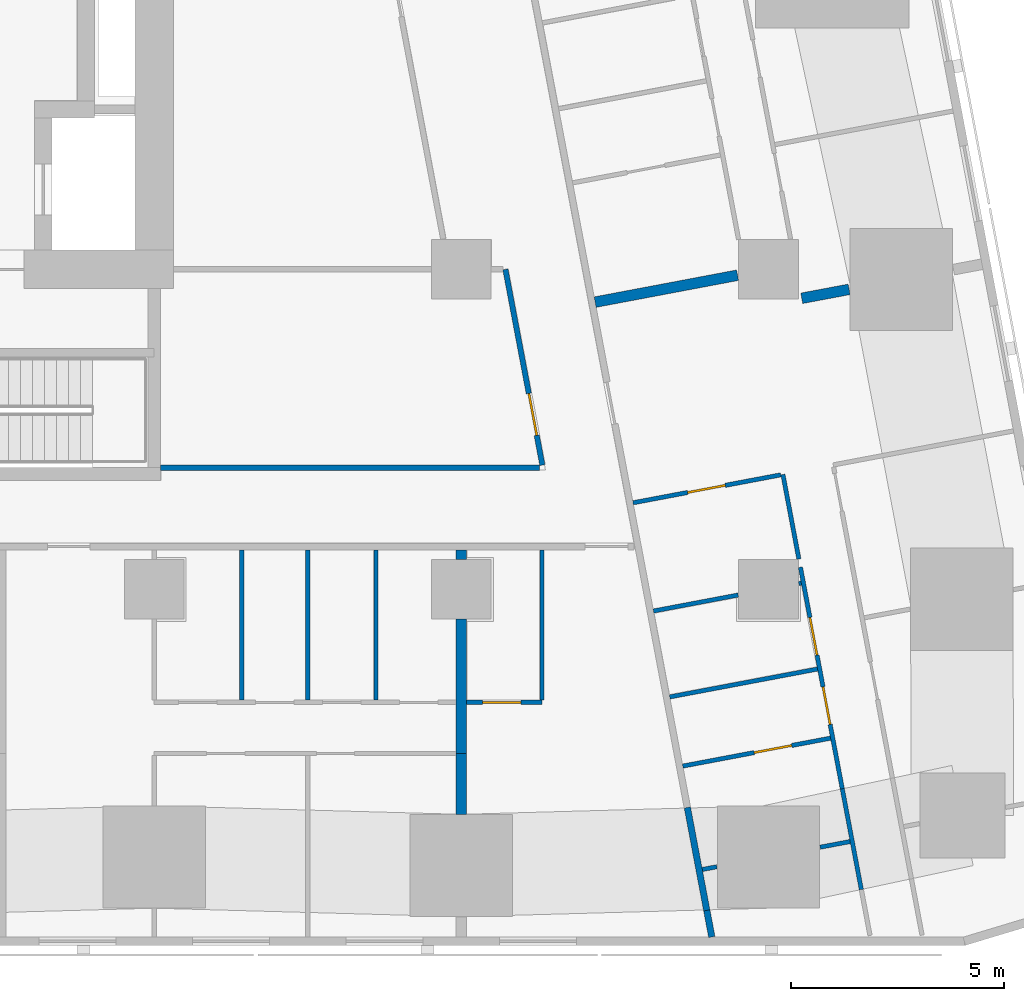
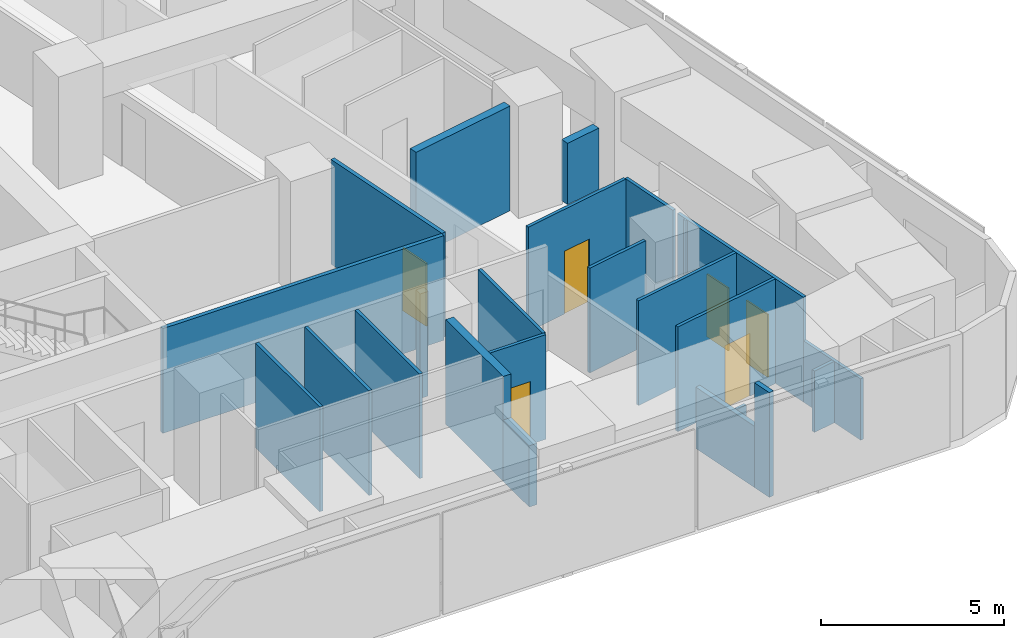
# One storey, part 3 of 10: 24 walls, 6 doors, 6 openings.
"""IFC4 building model written with IfcOpenShell, lengths in metres."""

from ifc_helpers import new_model, si_unit, direction, frame, frame_2d, origin, place, context, subcontext, project, spatial, rectangle, extrude, material, layer, layer_set, type_object, element, fill, save


model = new_model("IFC4")

# Units and contexts
model_context = context("Model", 3, precision=1e-05, world=origin(), true_north=direction((0.0, 1.0)))
body_context = subcontext(model_context, "Body", "Model", "MODEL_VIEW")
ifc_project = project(units=[si_unit("LENGTHUNIT", "METRE"), si_unit("AREAUNIT", "SQUARE_METRE"), si_unit("VOLUMEUNIT", "CUBIC_METRE"), si_unit("PLANEANGLEUNIT", "RADIAN"), si_unit("MASSUNIT", "GRAM", prefix="KILO")], contexts=[model_context])

# Site, building, storey
site_placement = place(None, origin())
site = spatial("IfcSite", under=ifc_project, at=site_placement, CompositionType="ELEMENT")
building_placement = place(site_placement, origin())
building = spatial("IfcBuilding", under=site, at=building_placement, Name="Sheger Commons Tower", CompositionType="ELEMENT")
storey_placement = place(building_placement, frame((0.0, 0.0, 227.449951171875)))
storey = spatial("IfcBuildingStorey", under=building, at=storey_placement, Name="L58", CompositionType="ELEMENT", Elevation=227.449951171875)

# Walls
ifc_material_1 = material(Name="Hollow concrete block masonry, skimmed both sides", Category="masonry")
ifc_layer_1 = layer(ifc_material_1, 0.14990234375)
ifc_layer_set_1 = layer_set([ifc_layer_1], Name="CORRIDOR WALL 150")
wall_type_1 = type_object("IfcWallType", Name="CORRIDOR WALL 150", PredefinedType="SOLIDWALL", material=ifc_layer_set_1)
wall_1_placement = place(storey_placement, frame((41.299072265625, 2.385009765625, 0.0), z_axis=(0.0, 0.0, 1.0), x_axis=(0.18529731833, -0.982682504077, 0.0)))
element("IfcWall", 1, at=wall_1_placement, inside=storey, type_object=wall_type_1, Name="Corridor wall L58", PredefinedType="SOLIDWALL", context=body_context, shape_type="SweptSolid", body=[
    extrude(rectangle(XDim=2.45458984375, YDim=0.14990234375, at=frame_2d((1.227294921875, 0.0))), origin(), (0.0, 0.0, 1.0), 2.050048828125),
])
wall_2_placement = place(storey_placement, frame((41.75390625, -0.027099609375, 0.0), z_axis=(0.0, 0.0, 1.0), x_axis=(0.186404157015, -0.982473149886, 0.0)))
element("IfcWall", 2, at=wall_2_placement, inside=storey, type_object=wall_type_1, Name="Corridor wall L58", PredefinedType="SOLIDWALL", context=body_context, shape_type="SweptSolid", body=[
    extrude(rectangle(XDim=0.634033203125, YDim=0.14990234375, at=frame_2d((0.31689453125, 0.0))), origin(), (0.0, 0.0, 1.0), 3.5),
])
ifc_material_2 = material(Name="Dense concrete block masonry, plastered both sides (separating wall between flats)", Category="masonry")
ifc_layer_2 = layer(ifc_material_2, 0.25)
ifc_layer_set_2 = layer_set([ifc_layer_2], Name="DEMISING WALL 250")
wall_type_2 = type_object("IfcWallType", Name="DEMISING WALL 250", PredefinedType="SOLIDWALL", material=ifc_layer_set_2)
wall_3_placement = place(storey_placement, frame((36.0, 2.22607421875, 0.0), z_axis=(0.0, 0.0, 1.0), x_axis=(0.0, 1.0, 0.0)))
element("IfcWall", 3, at=wall_3_placement, inside=storey, type_object=wall_type_2, Name="Demising wall L58", PredefinedType="SOLIDWALL", context=body_context, shape_type="SweptSolid", body=[
    extrude(rectangle(XDim=1.423828125, YDim=0.25, at=frame_2d((0.7119140625, 0.0))), origin(), (0.0, 0.0, 1.0), 2.050048828125),
])
wall_4_placement = place(storey_placement, frame((36.0, 3.64990234375, 0.0), z_axis=(0.0, 0.0, 1.0), x_axis=(0.0, 1.0, 0.0)))
element("IfcWall", 4, at=wall_4_placement, inside=storey, type_object=wall_type_2, Name="Demising wall L58", PredefinedType="SOLIDWALL", context=body_context, shape_type="SweptSolid", body=[
    extrude(rectangle(XDim=3.149169921875, YDim=0.25, at=frame_2d((1.57470703125, 0.0))), origin(), (0.0, 0.0, 1.0), 3.5),
])
wall_5_placement = place(storey_placement, frame((36.0, 8.200927734375, 0.0), z_axis=(0.0, 0.0, 1.0), x_axis=(0.0, 1.0, 0.0)))
element("IfcWall", 5, at=wall_5_placement, inside=storey, type_object=wall_type_2, Name="Demising wall L58", PredefinedType="SOLIDWALL", context=body_context, shape_type="SweptSolid", body=[
    extrude(rectangle(XDim=0.22412109375, YDim=0.25, at=frame_2d((0.112060546875, 0.0))), origin(), (0.0, 0.0, 1.0), 3.5),
])
wall_6_placement = place(storey_placement, frame((45.090087890625, 14.531005859375, 0.0), z_axis=(0.0, 0.0, 1.0), x_axis=(-0.982737354171, -0.185006196431, 0.0)))
element("IfcWall", 6, at=wall_6_placement, inside=storey, type_object=wall_type_2, Name="Demising wall L58", PredefinedType="SOLIDWALL", context=body_context, shape_type="SweptSolid", body=[
    extrude(rectangle(XDim=1.129638671875, YDim=0.25, at=frame_2d((0.56494140625, 0.0))), origin(), (0.0, 0.0, 1.0), 2.050048828125),
])
wall_7_placement = place(storey_placement, frame((42.47607421875, 14.863037109375, 0.0), z_axis=(0.0, 0.0, 1.0), x_axis=(-0.982603567712, -0.185715450942, 0.0)))
element("IfcWall", 7, at=wall_7_placement, inside=storey, type_object=wall_type_2, Name="Demising wall L58", PredefinedType="SOLIDWALL", context=body_context, shape_type="SweptSolid", body=[
    extrude(rectangle(XDim=3.398193359375, YDim=0.25, at=frame_2d((1.69921875, 0.0))), origin(), (0.0, 0.0, 1.0), 3.5),
])
ifc_material_3 = material(Name="Gypsum board on steel studs", Category="steel")
ifc_layer_3 = layer(ifc_material_3, 0.10009765625)
ifc_layer_set_3 = layer_set([ifc_layer_3], Name="PARTITION 100")
wall_type_3 = type_object("IfcWallType", Name="PARTITION 100", PredefinedType="PARTITIONING", material=ifc_layer_set_3)
for number, where, z_axis, x_axis, name in (
    (8, (32.39990234375, 4.89990234375, 0.0), (0.0, 0.0, 1.0), (0.0, 1.0, 0.0), "Partition L58"),
    (9, (30.85009765625, 4.89990234375, 0.0), (0.0, 0.0, 1.0), (0.0, 1.0, 0.0), "Partition L58"),
    (10, (34.0, 4.89990234375, 0.0), (0.0, 0.0, 1.0), (0.0, 1.0, 0.0), "Partition L58"),
):
    element("IfcWall", number, at=place(storey_placement, frame(where, z_axis=z_axis, x_axis=x_axis)), inside=storey, type_object=wall_type_3, Name=name, PredefinedType="PARTITIONING", context=body_context, shape_type="SweptSolid", body=[
        extrude(rectangle(XDim=3.525146484375, YDim=0.10009765625, at=frame_2d((1.7626953125, 0.0))), origin(), (0.0, 0.0, 1.0), 3.5),
    ])

# Wall, opening, door
wall_8_placement = place(storey_placement, frame((37.889892578125, 4.85009765625, 0.0), z_axis=(0.0, 0.0, 1.0), x_axis=(-1.0, 0.0, 0.0)))
wall_8 = element("IfcWall", 11, at=wall_8_placement, inside=storey, type_object=wall_type_3, Name="Partition L58", PredefinedType="PARTITIONING", context=body_context, shape_type="SweptSolid", body=[
    extrude(rectangle(XDim=1.764892578125, YDim=0.10009765625, at=frame_2d((0.88232421875, 0.0))), origin(), (0.0, 0.0, 1.0), 3.5),
])
opening_1_placement = place(wall_8_placement, frame((0.489990234375, 0.0, 0.0)))
opening_1 = element("IfcOpeningElement", 12, at=opening_1_placement, cuts=wall_8, Name="Opening D2", PredefinedType="OPENING", context=body_context, shape_type="SweptSolid", body=[
    extrude(rectangle(XDim=0.89990234375, YDim=2.10009765625, at=frame_2d((0.449951171875, 1.050048828125))), frame((0.0, 0.06005859375, 0.0), z_axis=(0.0, -1.0, 0.0), x_axis=(1.0, 0.0, 0.0)), (0.0, 0.0, 1.0), 0.1201171875),
])
ifc_material_4 = material(Name="Timber door set", Category="wood")
door_type_1 = type_object("IfcDoorType", Name="INTERNAL DOOR 900x2100", OperationType="NOTDEFINED", PredefinedType="DOOR", material=ifc_material_4)
door_1_placement = place(opening_1_placement, origin())
door_1 = element("IfcDoor", 13, at=door_1_placement, inside=storey, type_object=door_type_1, Name="Shower room door", OperationType="SINGLE_SWING_LEFT", OverallHeight=2.10009765625, OverallWidth=0.89990234375, PredefinedType="DOOR", context=body_context, shape_type="SweptSolid", body=[
    extrude(rectangle(XDim=0.89990234375, YDim=2.10009765625, at=frame_2d((0.449951171875, 1.050048828125))), frame((0.0, 0.02490234375, 0.0), z_axis=(0.0, -1.0, 0.0), x_axis=(1.0, 0.0, 0.0)), (0.0, 0.0, 1.0), 0.050048828125),
])
fill(opening_1, door_1)

# Walls
wall_9_placement = place(storey_placement, frame((37.889892578125, 4.89990234375, 0.0), z_axis=(0.0, 0.0, 1.0), x_axis=(0.0, 1.0, 0.0)))
element("IfcWall", 14, at=wall_9_placement, inside=storey, type_object=wall_type_3, Name="Partition L58", PredefinedType="PARTITIONING", context=body_context, shape_type="SweptSolid", body=[
    extrude(rectangle(XDim=3.525146484375, YDim=0.10009765625, at=frame_2d((1.7626953125, 0.0))), origin(), (0.0, 0.0, 1.0), 3.5),
])
wall_10_placement = place(storey_placement, frame((43.5390625, 10.19189453125, 0.0), z_axis=(0.0, 0.0, 1.0), x_axis=(0.185443145218, -0.982654995353, 0.0)))
element("IfcWall", 15, at=wall_10_placement, inside=storey, type_object=wall_type_3, Name="Partition L58", PredefinedType="PARTITIONING", context=body_context, shape_type="SweptSolid", body=[
    extrude(rectangle(XDim=2.016845703125, YDim=0.10009765625, at=frame_2d((1.00830078125, 0.0))), origin(), (0.0, 0.0, 1.0), 3.5),
])

# Wall, openings, doors
wall_11_placement = place(storey_placement, frame((43.948974609375, 8.02001953125, 0.0), z_axis=(0.0, 0.0, 1.0), x_axis=(0.185656792073, -0.982614652627, 0.0)))
wall_11 = element("IfcWall", 16, at=wall_11_placement, inside=storey, type_object=wall_type_3, Name="Partition L58", PredefinedType="PARTITIONING", context=body_context, shape_type="SweptSolid", body=[
    extrude(rectangle(XDim=5.2890625, YDim=0.10009765625, at=frame_2d((2.64453125, 0.0))), origin(), (0.0, 0.0, 1.0), 3.5),
])
opening_2_placement = place(wall_11_placement, frame((1.199951171875, 0.0, 0.0)))
opening_2 = element("IfcOpeningElement", 17, at=opening_2_placement, cuts=wall_11, Name="Opening D2", PredefinedType="OPENING", context=body_context, shape_type="SweptSolid", body=[
    extrude(rectangle(XDim=0.89990234375, YDim=2.10009765625, at=frame_2d((0.449951171875, 1.050048828125))), frame((0.0, 0.06005859375, 0.0), z_axis=(0.0, -1.0, 0.0), x_axis=(1.0, 0.0, 0.0)), (0.0, 0.0, 1.0), 0.1201171875),
])
opening_3_placement = place(wall_11_placement, frame((2.85498046875, 0.0, 0.0)))
opening_3 = element("IfcOpeningElement", 18, at=opening_3_placement, cuts=wall_11, Name="Opening D2", PredefinedType="OPENING", context=body_context, shape_type="SweptSolid", body=[
    extrude(rectangle(XDim=0.89990234375, YDim=2.10009765625, at=frame_2d((0.449951171875, 1.050048828125))), frame((0.0, 0.06005859375, 0.0), z_axis=(0.0, -1.0, 0.0), x_axis=(1.0, 0.0, 0.0)), (0.0, 0.0, 1.0), 0.1201171875),
])
door_2_placement = place(opening_2_placement, origin())
door_2 = element("IfcDoor", 19, at=door_2_placement, inside=storey, type_object=door_type_1, Name="Bathroom door", OperationType="SINGLE_SWING_LEFT", OverallHeight=2.10009765625, OverallWidth=0.89990234375, PredefinedType="DOOR", context=body_context, shape_type="SweptSolid", body=[
    extrude(rectangle(XDim=0.89990234375, YDim=2.10009765625, at=frame_2d((0.449951171875, 1.050048828125))), frame((0.0, 0.02490234375, 0.0), z_axis=(0.0, -1.0, 0.0), x_axis=(1.0, 0.0, 0.0)), (0.0, 0.0, 1.0), 0.050048828125),
])
fill(opening_2, door_2)
door_3_placement = place(opening_3_placement, origin())
door_3 = element("IfcDoor", 20, at=door_3_placement, inside=storey, type_object=door_type_1, Name="Store door", OperationType="SINGLE_SWING_LEFT", OverallHeight=2.10009765625, OverallWidth=0.89990234375, PredefinedType="DOOR", context=body_context, shape_type="SweptSolid", body=[
    extrude(rectangle(XDim=0.89990234375, YDim=2.10009765625, at=frame_2d((0.449951171875, 1.050048828125))), frame((0.0, 0.02490234375, 0.0), z_axis=(0.0, -1.0, 0.0), x_axis=(1.0, 0.0, 0.0)), (0.0, 0.0, 1.0), 0.050048828125),
])
fill(opening_3, door_3)

# Wall
wall_12_placement = place(storey_placement, frame((44.930908203125, 2.822998046875, 0.0), z_axis=(0.0, 0.0, 1.0), x_axis=(0.185631845838, -0.982619365681, 0.0)))
element("IfcWall", 21, at=wall_12_placement, inside=storey, type_object=wall_type_3, Name="Partition L58", PredefinedType="PARTITIONING", context=body_context, shape_type="SweptSolid", body=[
    extrude(rectangle(XDim=2.40283203125, YDim=0.10009765625, at=frame_2d((1.201416015625, 0.0))), origin(), (0.0, 0.0, 1.0), 2.050048828125),
])

# Wall, opening, door
wall_13_placement = place(storey_placement, frame((43.489990234375, 10.18310546875, 0.0), z_axis=(0.0, 0.0, 1.0), x_axis=(-0.982588017646, -0.185797706064, 0.0)))
wall_13 = element("IfcWall", 22, at=wall_13_placement, inside=storey, type_object=wall_type_3, Name="Partition L58", PredefinedType="PARTITIONING", context=body_context, shape_type="SweptSolid", body=[
    extrude(rectangle(XDim=3.525390625, YDim=0.10009765625, at=frame_2d((1.7626953125, 0.0))), origin(), (0.0, 0.0, 1.0), 3.5),
])
opening_4_placement = place(wall_13_placement, frame((1.324951171875, 0.0, 0.0)))
opening_4 = element("IfcOpeningElement", 23, at=opening_4_placement, cuts=wall_13, Name="Opening D2", PredefinedType="OPENING", context=body_context, shape_type="SweptSolid", body=[
    extrude(rectangle(XDim=0.89990234375, YDim=2.10009765625, at=frame_2d((0.449951171875, 1.050048828125))), frame((0.0, 0.06005859375, 0.0), z_axis=(0.0, -1.0, 0.0), x_axis=(1.0, 0.0, 0.0)), (0.0, 0.0, 1.0), 0.1201171875),
])
door_4_placement = place(opening_4_placement, origin())
door_4 = element("IfcDoor", 24, at=door_4_placement, inside=storey, type_object=door_type_1, Name="Store door", OperationType="SINGLE_SWING_RIGHT", OverallHeight=2.10009765625, OverallWidth=0.89990234375, PredefinedType="DOOR", context=body_context, shape_type="SweptSolid", body=[
    extrude(rectangle(XDim=0.89990234375, YDim=2.10009765625, at=frame_2d((0.449951171875, 1.050048828125))), frame((0.0, 0.02490234375, 0.0), z_axis=(0.0, -1.0, 0.0), x_axis=(1.0, 0.0, 0.0)), (0.0, 0.0, 1.0), 0.050048828125),
])
fill(opening_4, door_4)

# Walls
wall_14_placement = place(storey_placement, frame((43.968994140625, 7.64599609375, 0.0), z_axis=(0.0, 0.0, 1.0), x_axis=(-0.983147034646, -0.182816597351, 0.0)))
element("IfcWall", 25, at=wall_14_placement, inside=storey, type_object=wall_type_3, Name="Partition L58", PredefinedType="PARTITIONING", context=body_context, shape_type="SweptSolid", body=[
    extrude(rectangle(XDim=0.06005859375, YDim=0.10009765625, at=frame_2d((0.030029296875, 0.0))), origin(), (0.0, 0.0, 1.0), 3.5),
])
wall_15_placement = place(storey_placement, frame((42.489990234375, 7.365966796875, 0.0), z_axis=(0.0, 0.0, 1.0), x_axis=(-0.982620917875, -0.185623629302, 0.0)))
element("IfcWall", 26, at=wall_15_placement, inside=storey, type_object=wall_type_3, Name="Partition L58", PredefinedType="PARTITIONING", context=body_context, shape_type="SweptSolid", body=[
    extrude(rectangle(XDim=2.020263671875, YDim=0.10009765625, at=frame_2d((1.01025390625, 0.0))), origin(), (0.0, 0.0, 1.0), 3.5),
])
wall_16_placement = place(storey_placement, frame((45.114013671875, 1.5869140625, 0.0), z_axis=(0.0, 0.0, 1.0), x_axis=(-0.982671022916, -0.185358195723, 0.0)))
element("IfcWall", 27, at=wall_16_placement, inside=storey, type_object=wall_type_3, Name="Partition L58", PredefinedType="PARTITIONING", context=body_context, shape_type="SweptSolid", body=[
    extrude(rectangle(XDim=0.716552734375, YDim=0.10009765625, at=frame_2d((0.3583984375, 0.0))), origin(), (0.0, 0.0, 1.0), 2.050048828125),
])
wall_17_placement = place(storey_placement, frame((41.989990234375, 0.99609375, 0.0), z_axis=(0.0, 0.0, 1.0), x_axis=(-0.982639822555, -0.185523527159, 0.0)))
element("IfcWall", 28, at=wall_17_placement, inside=storey, type_object=wall_type_3, Name="Partition L58", PredefinedType="PARTITIONING", context=body_context, shape_type="SweptSolid", body=[
    extrude(rectangle(XDim=0.34619140625, YDim=0.10009765625, at=frame_2d((0.173095703125, 0.0))), origin(), (0.0, 0.0, 1.0), 2.050048828125),
])
wall_18_placement = place(storey_placement, frame((44.35009765625, 5.631103515625, 0.0), z_axis=(0.0, 0.0, 1.0), x_axis=(-0.982638553676, -0.185530247748, 0.0)))
element("IfcWall", 29, at=wall_18_placement, inside=storey, type_object=wall_type_3, Name="Partition L58", PredefinedType="PARTITIONING", context=body_context, shape_type="SweptSolid", body=[
    extrude(rectangle(XDim=3.525390625, YDim=0.10009765625, at=frame_2d((1.7626953125, 0.0))), origin(), (0.0, 0.0, 1.0), 3.5),
])

# Wall, opening, door
wall_19_placement = place(storey_placement, frame((41.19189453125, 3.35595703125, 0.0), z_axis=(0.0, 0.0, 1.0), x_axis=(0.982588017646, 0.185797706064, 0.0)))
wall_19 = element("IfcWall", 30, at=wall_19_placement, inside=storey, type_object=wall_type_3, Name="Partition L58", PredefinedType="PARTITIONING", context=body_context, shape_type="SweptSolid", body=[
    extrude(rectangle(XDim=3.525390625, YDim=0.10009765625, at=frame_2d((1.7626953125, 0.0))), origin(), (0.0, 0.0, 1.0), 3.5),
])
opening_5_placement = place(wall_19_placement, frame((1.699951171875, 0.0, 0.0)))
opening_5 = element("IfcOpeningElement", 31, at=opening_5_placement, cuts=wall_19, Name="Opening D2", PredefinedType="OPENING", context=body_context, shape_type="SweptSolid", body=[
    extrude(rectangle(XDim=0.89990234375, YDim=2.10009765625, at=frame_2d((0.449951171875, 1.050048828125))), frame((0.0, 0.06005859375, 0.0), z_axis=(0.0, -1.0, 0.0), x_axis=(1.0, 0.0, 0.0)), (0.0, 0.0, 1.0), 0.1201171875),
])
door_5_placement = place(opening_5_placement, origin())
door_5 = element("IfcDoor", 32, at=door_5_placement, inside=storey, type_object=door_type_1, Name="Store door", OperationType="SINGLE_SWING_RIGHT", OverallHeight=2.10009765625, OverallWidth=0.89990234375, PredefinedType="DOOR", context=body_context, shape_type="SweptSolid", body=[
    extrude(rectangle(XDim=0.89990234375, YDim=2.10009765625, at=frame_2d((0.449951171875, 1.050048828125))), frame((0.0, 0.02490234375, 0.0), z_axis=(0.0, -1.0, 0.0), x_axis=(1.0, 0.0, 0.0)), (0.0, 0.0, 1.0), 0.050048828125),
])
fill(opening_5, door_5)

# Wall
ifc_material_5 = material(Name="Gypsum board on steel studs, two layers each side, fire rated", Category="steel")
ifc_layer_4 = layer(ifc_material_5, 0.125)
ifc_layer_set_4 = layer_set([ifc_layer_4], Name="SERVICE WALL 125")
wall_type_4 = type_object("IfcWallType", Name="SERVICE WALL 125", PredefinedType="PARTITIONING", material=ifc_layer_set_4)
wall_20_placement = place(storey_placement, frame((28.949951171875, 10.35009765625, 0.0), z_axis=(0.0, 0.0, 1.0), x_axis=(1.0, 0.0, 0.0)))
element("IfcWall", 33, at=wall_20_placement, inside=storey, type_object=wall_type_4, Name="Service room wall L58", PredefinedType="PARTITIONING", context=body_context, shape_type="SweptSolid", body=[
    extrude(rectangle(XDim=8.885986328125, YDim=0.125, at=frame_2d((4.44287109375, 0.0))), origin(), (0.0, 0.0, 1.0), 3.5),
])

# Wall, opening, door
wall_21_placement = place(storey_placement, frame((37.89990234375, 10.4130859375, 0.0), z_axis=(0.0, 0.0, 1.0), x_axis=(-0.185513629891, 0.982641691119, 0.0)))
wall_21 = element("IfcWall", 34, at=wall_21_placement, inside=storey, type_object=wall_type_4, Name="Service room wall L58", PredefinedType="PARTITIONING", context=body_context, shape_type="SweptSolid", body=[
    extrude(rectangle(XDim=4.66796875, YDim=0.125, at=frame_2d((2.333984375, 0.0))), origin(), (0.0, 0.0, 1.0), 3.5),
])
opening_6_placement = place(wall_21_placement, frame((0.7080078125, 0.0, 0.0)))
opening_6 = element("IfcOpeningElement", 35, at=opening_6_placement, cuts=wall_21, Name="Opening D4", PredefinedType="OPENING", context=body_context, shape_type="SweptSolid", body=[
    extrude(rectangle(XDim=1.0, YDim=2.10009765625, at=frame_2d((0.5, 1.050048828125))), frame((0.0, 0.072509765625, 0.0), z_axis=(0.0, -1.0, 0.0), x_axis=(1.0, 0.0, 0.0)), (0.0, 0.0, 1.0), 0.14501953125),
])
ifc_material_6 = material(Name="Steel door set, fire rated", Category="steel")
door_type_2 = type_object("IfcDoorType", Name="SERVICE DOOR 1000x2100", OperationType="NOTDEFINED", PredefinedType="DOOR", material=ifc_material_6)
door_6_placement = place(opening_6_placement, origin())
door_6 = element("IfcDoor", 36, at=door_6_placement, inside=storey, type_object=door_type_2, Name="Parcel and delivery room door", OperationType="SINGLE_SWING_LEFT", OverallHeight=2.10009765625, OverallWidth=1.0, PredefinedType="DOOR", context=body_context, shape_type="SweptSolid", body=[
    extrude(rectangle(XDim=1.0, YDim=2.10009765625, at=frame_2d((0.5, 1.050048828125))), frame((0.0, 0.02490234375, 0.0), z_axis=(0.0, -1.0, 0.0), x_axis=(1.0, 0.0, 0.0)), (0.0, 0.0, 1.0), 0.050048828125),
])
fill(opening_6, door_6)

save(model, "model.ifc")
